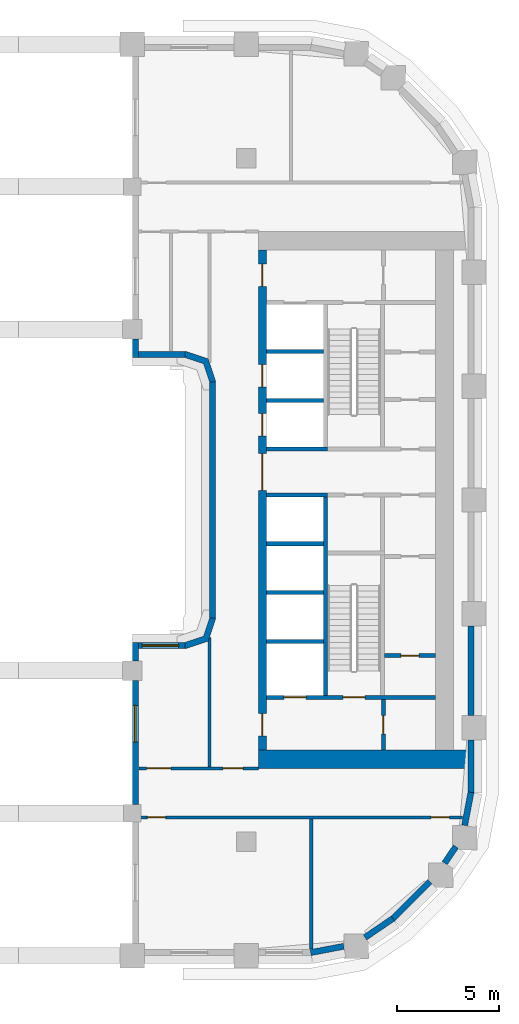
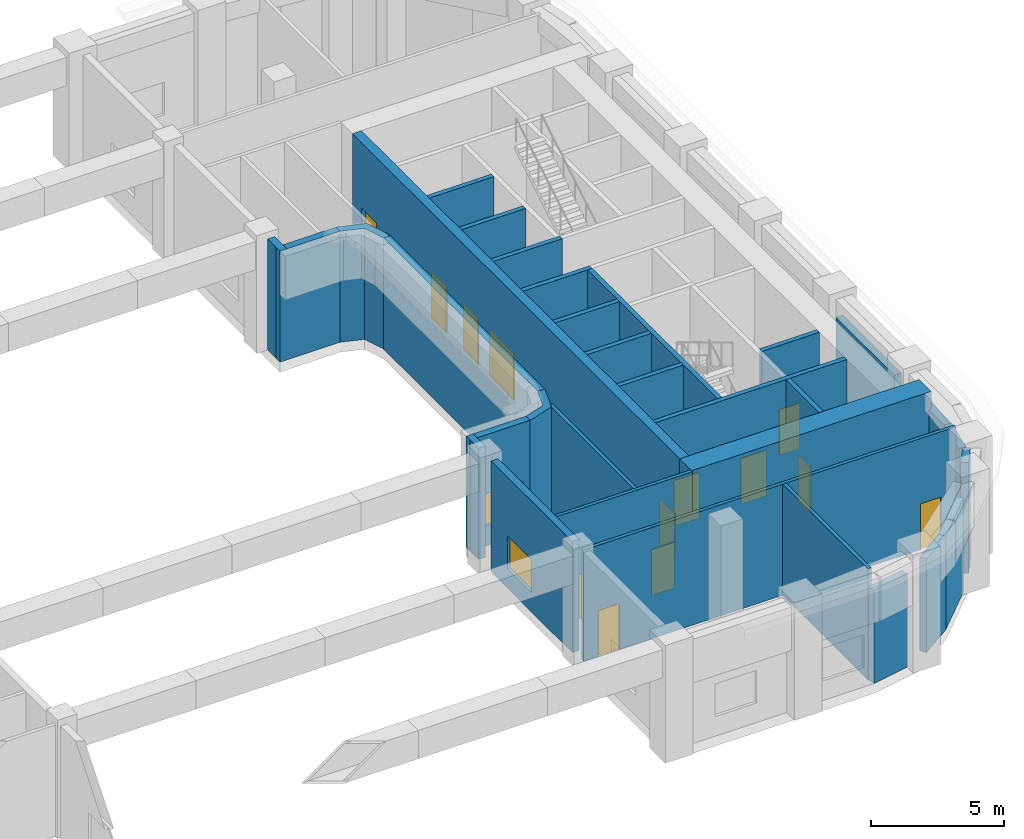
# One storey, part 4 of 14: 32 walls, 13 doors, 2 windows, 15 openings.
"""IFC4 building model written with IfcOpenShell, lengths in metres."""

import ifcopenshell
import ifcopenshell.guid

model = None  # the IFC model being written
_history = None  # IfcOwnerHistory: only IFC2X3 demands one
_inside = {}  # id of a spatial element -> (the spatial element, [elements in it])
_under = {}  # id of a project, library or spatial element -> (it, [spatial elements below it])
_declared = {}  # id of a project -> (the project, [libraries it declares])
_typed = {}  # id of a type object -> (the type object, [elements of that type])
_made_of = {}  # id of a material, layer set ... -> (it, [elements and type objects made of it])


def new_model(schema):
    """Start an empty IFC model of exactly this schema.

    Asked for "IFC4X3", IfcOpenShell would pick the latest addendum, in which some entities
    have other attributes; the version numbers below select the first issue.
    IFC2X3 requires an IfcOwnerHistory on every rooted entity: one is made here for all.
    """
    global model, _history
    if schema == "IFC4X3":
        model = ifcopenshell.file(schema_version=(4, 3, 0, 0))
    else:
        model = ifcopenshell.file(schema=schema)
    _inside.clear()
    _under.clear()
    _declared.clear()
    _typed.clear()
    _made_of.clear()
    _history = None
    if model.schema == "IFC2X3":
        org = make("IfcOrganization", Name="unknown")
        user = make(
            "IfcPersonAndOrganization",
            ThePerson=make("IfcPerson", FamilyName="unknown"),
            TheOrganization=org,
        )
        app = make(
            "IfcApplication",
            ApplicationDeveloper=org,
            Version="unknown",
            ApplicationFullName="unknown",
            ApplicationIdentifier="unknown",
        )
        _history = make(
            "IfcOwnerHistory",
            OwningUser=user,
            OwningApplication=app,
            ChangeAction="ADDED",
            CreationDate=0,
        )
    return model


def make(cls, **values):
    """One entity of the class cls with the attributes given. An attribute that is None is left unset."""
    return model.create_entity(
        cls, **{name: value for name, value in values.items() if value is not None}
    )


def rooted(cls, **values):
    """An entity with a GlobalId (a new one), such as an element, a storey or a relation."""
    return make(cls, GlobalId=ifcopenshell.guid.new(), OwnerHistory=_history, **values)


def si_unit(unit_type, name, prefix=None):
    """IfcSIUnit, for example si_unit("LENGTHUNIT", "METRE", prefix="MILLI")."""
    return make("IfcSIUnit", UnitType=unit_type, Prefix=prefix, Name=name)


def assignment(units):
    """IfcUnitAssignment: the units of a project."""
    return None if units is None else make("IfcUnitAssignment", Units=units)


def point(xyz):
    """IfcCartesianPoint."""
    return None if xyz is None else make("IfcCartesianPoint", Coordinates=xyz)


def direction(xyz):
    """IfcDirection."""
    return None if xyz is None else make("IfcDirection", DirectionRatios=xyz)


def frame(location, z_axis=None, x_axis=None):
    """IfcAxis2Placement3D, a coordinate frame: its origin and axes. An axis left out is left unset."""
    return make(
        "IfcAxis2Placement3D",
        Location=point(location),
        Axis=direction(z_axis),
        RefDirection=direction(x_axis),
    )


def frame_2d(location, x_axis=None):
    """IfcAxis2Placement2D, a coordinate frame in the plane: its origin and x axis."""
    return make(
        "IfcAxis2Placement2D", Location=point(location), RefDirection=direction(x_axis)
    )


def origin():
    """The frame at (0, 0, 0) with its axes left unset."""
    return frame((0.0, 0.0, 0.0))


def place(relative_to, where):
    """IfcLocalPlacement: puts the frame where relative to a parent placement (None: the world)."""
    return make(
        "IfcLocalPlacement", PlacementRelTo=relative_to, RelativePlacement=where
    )


def context(
    kind, dimensions, precision=None, world=None, true_north=None, identifier=None
):
    """IfcGeometricRepresentationContext, for example the 3D "Model" context."""
    return make(
        "IfcGeometricRepresentationContext",
        ContextIdentifier=identifier,
        ContextType=kind,
        CoordinateSpaceDimension=dimensions,
        Precision=precision,
        WorldCoordinateSystem=world,
        TrueNorth=true_north,
    )


def subcontext(parent, identifier, kind, view, scale=None):
    """IfcGeometricRepresentationSubContext, for example "Body" below "Model"."""
    return make(
        "IfcGeometricRepresentationSubContext",
        ContextIdentifier=identifier,
        ContextType=kind,
        ParentContext=parent,
        TargetScale=scale,
        TargetView=view,
    )


def project(units=None, contexts=None):
    """IfcProject with its units and contexts."""
    return rooted(
        "IfcProject",
        Name="project",
        RepresentationContexts=contexts,
        UnitsInContext=assignment(units),
    )


def spatial(cls, under=None, at=None, **own):
    """A site, building, storey or space (cls), placed at a placement, below another one or the project."""
    s = rooted(cls, ObjectPlacement=at, **own)
    if under is not None:
        _under.setdefault(under.id(), (under, []))[1].append(s)
    return s


def polyline(points):
    """IfcPolyline through the points."""
    return make("IfcPolyline", Points=[point(p) for p in points])


def profile(cls, at=None, kind="AREA", **sizes):
    """A parametric profile (cls). Its sizes go by their IFC names, for example OverallWidth=200.0."""
    return make(cls, ProfileType=kind, Position=at, **sizes)


def rectangle(**sizes):
    """IfcRectangleProfileDef."""
    return profile("IfcRectangleProfileDef", **sizes)


def outline(outer, holes=None, kind="AREA"):
    """IfcArbitraryClosedProfileDef: a profile drawn as a closed curve; with holes, ...WithVoids."""
    if holes is None:
        return make("IfcArbitraryClosedProfileDef", ProfileType=kind, OuterCurve=outer)
    return make(
        "IfcArbitraryProfileDefWithVoids",
        ProfileType=kind,
        OuterCurve=outer,
        InnerCurves=holes,
    )


def extrude(swept, where, along, depth):
    """IfcExtrudedAreaSolid: the profile swept, set in the frame where, extruded along a direction by depth."""
    return make(
        "IfcExtrudedAreaSolid",
        SweptArea=swept,
        Position=where,
        ExtrudedDirection=direction(along),
        Depth=depth,
    )


def shape(context_of_items, identifier, shape_type, items):
    """IfcShapeRepresentation: the items that make up one representation, for example the "Body"."""
    return make(
        "IfcShapeRepresentation",
        ContextOfItems=context_of_items,
        RepresentationIdentifier=identifier,
        RepresentationType=shape_type,
        Items=items,
    )


def material(Name=None, Category=None):
    """IfcMaterial."""
    return make("IfcMaterial", Name=Name, Category=Category)


def layer(
    of_material, thickness, ventilated=None, Name=None, Category=None, Priority=None
):
    """IfcMaterialLayer: one layer of a wall or slab, of a material (None: an air gap)."""
    return make(
        "IfcMaterialLayer",
        Material=of_material,
        LayerThickness=thickness,
        IsVentilated=ventilated,
        Name=Name,
        Category=Category,
        Priority=Priority,
    )


def layer_set(layers, Name=None):
    """IfcMaterialLayerSet."""
    return make("IfcMaterialLayerSet", MaterialLayers=layers, LayerSetName=Name)


def made_of(thing, what):
    """Note that an element or type object is made of a material, layer set ...; save() writes the relation."""
    if what is not None:
        _made_of.setdefault(what.id(), (what, []))[1].append(thing)
    return thing


def type_object(cls, material=None, **own):
    """A type object (cls), such as IfcWallType, which elements share."""
    return made_of(rooted(cls, **own), material)


def element(
    cls,
    number,
    at=None,
    inside=None,
    cuts=None,
    type_object=None,
    material=None,
    context=None,
    identifier="Body",
    shape_type=None,
    held_by="IfcProductDefinitionShape",
    body=None,
    shapes=None,
    **own,
):
    """One element of the class cls, such as IfcWall. Its Tag is "e" and its number.

    at: its placement. inside: the storey or other place that contains it. cuts: it is an
    opening in that element (IfcRelVoidsElement). A single representation is given by context,
    identifier, shape_type and body (its items); several are given by shapes. held_by: the class
    of the entity that holds the representations. save() writes the other relations.
    """
    e = rooted(cls, Tag="e%d" % number, ObjectPlacement=at, **own)
    if body is not None:
        shapes = [shape(context, identifier, shape_type, body)]
    if shapes is not None:
        e.Representation = make(held_by, Representations=shapes)
    if inside is not None:
        _inside.setdefault(inside.id(), (inside, []))[1].append(e)
    if cuts is not None:
        rooted(
            "IfcRelVoidsElement", RelatingBuildingElement=cuts, RelatedOpeningElement=e
        )
    if type_object is not None:
        _typed.setdefault(type_object.id(), (type_object, []))[1].append(e)
    return made_of(e, material)


def fill(opening, filler):
    """IfcRelFillsElement: the door or window that sits in an opening."""
    return rooted(
        "IfcRelFillsElement",
        RelatingOpeningElement=opening,
        RelatedBuildingElement=filler,
    )


def aggregate(whole, parts):
    """IfcRelAggregates: a whole, such as a stair, and the parts it consists of."""
    return rooted("IfcRelAggregates", RelatingObject=whole, RelatedObjects=parts)


def save(model, path):
    """Write the relations noted so far, then the file.

    IfcRelAggregates (storeys below a building ...), IfcRelContainedInSpatialStructure (elements
    in a storey), IfcRelDefinesByType, IfcRelAssociatesMaterial and IfcRelDeclares: one each for
    every whole, place, type object, material and project.
    """
    for whole, parts in _under.values():
        aggregate(whole, parts)
    for where, things in _inside.values():
        rooted(
            "IfcRelContainedInSpatialStructure",
            RelatedElements=things,
            RelatingStructure=where,
        )
    for kind, things in _typed.values():
        rooted("IfcRelDefinesByType", RelatedObjects=things, RelatingType=kind)
    for what, things in _made_of.values():
        rooted("IfcRelAssociatesMaterial", RelatedObjects=things, RelatingMaterial=what)
    for by, libraries in _declared.values():
        rooted("IfcRelDeclares", RelatingContext=by, RelatedDefinitions=libraries)
    model.write(path)


model = new_model("IFC4")

# Units and contexts
model_context = context("Model", 3, precision=1e-05, world=origin(), true_north=direction((0.0, 1.0)))
body_context = subcontext(model_context, "Body", "Model", "MODEL_VIEW")
ifc_project = project(units=[si_unit("LENGTHUNIT", "METRE"), si_unit("AREAUNIT", "SQUARE_METRE"), si_unit("VOLUMEUNIT", "CUBIC_METRE"), si_unit("PLANEANGLEUNIT", "RADIAN"), si_unit("MASSUNIT", "GRAM", prefix="KILO")], contexts=[model_context])

# Site, building, storey
site_placement = place(None, origin())
site = spatial("IfcSite", under=ifc_project, at=site_placement, CompositionType="ELEMENT")
building_placement = place(site_placement, origin())
building = spatial("IfcBuilding", under=site, at=building_placement, Name="Kiln Ring Residences", CompositionType="ELEMENT")
storey_placement = place(building_placement, frame((0.0, 0.0, 130.699951171875)))
storey = spatial("IfcBuildingStorey", under=building, at=storey_placement, Name="L33", CompositionType="ELEMENT", Elevation=130.699951171875)

# Wall, opening, door
ifc_material_1 = material(Name="Gypsum board on steel studs", Category="steel")
ifc_layer_1 = layer(ifc_material_1, 0.199951171875)
ifc_layer_set_1 = layer_set([ifc_layer_1], Name="CORE-PARTITION-200")
wall_type_1 = type_object("IfcWallType", Name="CORE-PARTITION-200", PredefinedType="PARTITIONING", material=ifc_layer_set_1)
wall_1_placement = place(storey_placement, frame((23.550048828125, -12.300048828125, 0.0), z_axis=(0.0, 0.0, 1.0), x_axis=(0.0, 1.0, 0.0)))
wall_1 = element("IfcWall", 1, at=wall_1_placement, inside=storey, type_object=wall_type_1, Name="Core partition east L33 4", PredefinedType="PARTITIONING", context=body_context, shape_type="SweptSolid", body=[
    extrude(rectangle(XDim=2.5, YDim=0.199951171875, at=frame_2d((1.25, 0.0))), origin(), (0.0, 0.0, 1.0), 5.10009765625),
])
opening_1_placement = place(wall_1_placement, frame((0.800048828125, 0.0, 0.0)))
opening_1 = element("IfcOpeningElement", 2, at=opening_1_placement, cuts=wall_1, Name="Opening L33-CE08", PredefinedType="OPENING", context=body_context, shape_type="SweptSolid", body=[
    extrude(rectangle(XDim=0.89990234375, YDim=2.10009765625, at=frame_2d((0.449951171875, 1.050048828125))), frame((0.0, 0.10986328125, 0.0), z_axis=(0.0, -1.0, 0.0), x_axis=(1.0, 0.0, 0.0)), (0.0, 0.0, 1.0), 0.219970703125),
])
ifc_material_2 = material(Name="Steel door leaf", Category="steel")
door_type_1 = type_object("IfcDoorType", Name="CORE-DOOR-ROOM", OperationType="SINGLE_SWING_LEFT", PredefinedType="DOOR", material=ifc_material_2)
door_1_placement = place(opening_1_placement, origin())
door_1 = element("IfcDoor", 3, at=door_1_placement, inside=storey, type_object=door_type_1, Name="Store L33-CE08", OperationType="SINGLE_SWING_LEFT", OverallHeight=2.10009765625, OverallWidth=0.89990234375, PredefinedType="DOOR", context=body_context, shape_type="SweptSolid", body=[
    extrude(rectangle(XDim=0.89990234375, YDim=2.10009765625, at=frame_2d((0.449951171875, 1.050048828125))), frame((0.0, 0.02490234375, 0.0), z_axis=(0.0, -1.0, 0.0), x_axis=(1.0, 0.0, 0.0)), (0.0, 0.0, 1.0), 0.050048828125),
])
fill(opening_1, door_1)

wall_2_placement = place(storey_placement, frame((23.60009765625, -7.64990234375, 0.0), z_axis=(0.0, 0.0, 1.0), x_axis=(1.0, 0.0, 0.0)))
wall_2 = element("IfcWall", 4, at=wall_2_placement, inside=storey, type_object=wall_type_1, Name="Core partition east L33 5", PredefinedType="PARTITIONING", context=body_context, shape_type="SweptSolid", body=[
    extrude(rectangle(XDim=2.5, YDim=0.199951171875, at=frame_2d((1.25, 0.0))), origin(), (0.0, 0.0, 1.0), 5.10009765625),
])
opening_2_placement = place(wall_2_placement, frame((0.800048828125, 0.0, 0.0)))
opening_2 = element("IfcOpeningElement", 5, at=opening_2_placement, cuts=wall_2, Name="Opening L33-CE13", PredefinedType="OPENING", context=body_context, shape_type="SweptSolid", body=[
    extrude(rectangle(XDim=0.89990234375, YDim=2.10009765625, at=frame_2d((0.449951171875, 1.050048828125))), frame((0.0, 0.10986328125, 0.0), z_axis=(0.0, -1.0, 0.0), x_axis=(1.0, 0.0, 0.0)), (0.0, 0.0, 1.0), 0.219970703125),
])
door_2_placement = place(opening_2_placement, origin())
door_2 = element("IfcDoor", 6, at=door_2_placement, inside=storey, type_object=door_type_1, Name="Plant room L33-CE13", OperationType="SINGLE_SWING_LEFT", OverallHeight=2.10009765625, OverallWidth=0.89990234375, PredefinedType="DOOR", context=body_context, shape_type="SweptSolid", body=[
    extrude(rectangle(XDim=0.89990234375, YDim=2.10009765625, at=frame_2d((0.449951171875, 1.050048828125))), frame((0.0, 0.02490234375, 0.0), z_axis=(0.0, -1.0, 0.0), x_axis=(1.0, 0.0, 0.0)), (0.0, 0.0, 1.0), 0.050048828125),
])
fill(opening_2, door_2)

# Walls
ifc_material_3 = material(Name="Gypsum shaft wall system")
ifc_layer_2 = layer(ifc_material_3, 0.199951171875)
ifc_layer_set_2 = layer_set([ifc_layer_2], Name="CORE-SHAFT-WALL-200")
wall_type_2 = type_object("IfcWallType", Name="CORE-SHAFT-WALL-200", PredefinedType="PARTITIONING", material=ifc_layer_set_2)
for number, where, z_axis, x_axis, name in (
    (7, (17.800048828125, -6.949951171875, 0.0), (0.0, 0.0, 1.0), (1.0, 0.0, 0.0), "Core partition east L33 9"),
    (8, (17.800048828125, -4.550048828125, 0.0), (0.0, 0.0, 1.0), (1.0, 0.0, 0.0), "Core partition east L33 10"),
    (9, (17.800048828125, -2.14990234375, 0.0), (0.0, 0.0, 1.0), (1.0, 0.0, 0.0), "Core partition east L33 11"),
):
    element("IfcWall", number, at=place(storey_placement, frame(where, z_axis=z_axis, x_axis=x_axis)), inside=storey, type_object=wall_type_2, Name=name, PredefinedType="PARTITIONING", context=body_context, shape_type="SweptSolid", body=[
        extrude(rectangle(XDim=2.800048828125, YDim=0.199951171875, at=frame_2d((1.39990234375, 0.0))), origin(), (0.0, 0.0, 1.0), 5.10009765625),
    ])
for number, where, z_axis, x_axis, name in (
    (10, (17.800048828125, 0.25, 0.0), (0.0, 0.0, 1.0), (1.0, 0.0, 0.0), "Core partition east L33 12"),
    (11, (17.800048828125, 2.5, 0.0), (0.0, 0.0, 1.0), (1.0, 0.0, 0.0), "Core partition east L33 13"),
):
    element("IfcWall", number, at=place(storey_placement, frame(where, z_axis=z_axis, x_axis=x_axis)), inside=storey, type_object=wall_type_2, Name=name, PredefinedType="PARTITIONING", context=body_context, shape_type="SweptSolid", body=[
        extrude(rectangle(XDim=3.0, YDim=0.199951171875, at=frame_2d((1.5, 0.0))), origin(), (0.0, 0.0, 1.0), 5.10009765625),
    ])
for number, where, z_axis, x_axis, name in (
    (12, (17.800048828125, 4.89990234375, 0.0), (0.0, 0.0, 1.0), (1.0, 0.0, 0.0), "Core partition east L33 14"),
    (13, (17.800048828125, 7.300048828125, 0.0), (0.0, 0.0, 1.0), (1.0, 0.0, 0.0), "Core partition east L33 15"),
):
    element("IfcWall", number, at=place(storey_placement, frame(where, z_axis=z_axis, x_axis=x_axis)), inside=storey, type_object=wall_type_2, Name=name, PredefinedType="PARTITIONING", context=body_context, shape_type="SweptSolid", body=[
        extrude(rectangle(XDim=2.800048828125, YDim=0.199951171875, at=frame_2d((1.39990234375, 0.0))), origin(), (0.0, 0.0, 1.0), 5.10009765625),
    ])
ifc_material_4 = material(Name="Concrete C40/50", Category="concrete")
ifc_layer_3 = layer(ifc_material_4, 0.199951171875)
ifc_layer_set_3 = layer_set([ifc_layer_3], Name="CORE-WALL-RC200")
wall_type_3 = type_object("IfcWallType", Name="CORE-WALL-RC200", PredefinedType="SHEAR", material=ifc_layer_set_3)
wall_3_placement = place(storey_placement, frame((20.699951171875, -9.60009765625, 0.0), z_axis=(0.0, 0.0, 1.0), x_axis=(0.0, 1.0, 0.0)))
element("IfcWall", 14, at=wall_3_placement, inside=storey, type_object=wall_type_3, Name="Core wall east L33 2", PredefinedType="SHEAR", context=body_context, shape_type="SweptSolid", body=[
    extrude(rectangle(XDim=9.75, YDim=0.199951171875, at=frame_2d((4.875, 0.0))), origin(), (0.0, 0.0, 1.0), 5.10009765625),
])

# Wall, openings, doors
wall_4_placement = place(storey_placement, frame((17.800048828125, -9.699951171875, 0.0), z_axis=(0.0, 0.0, 1.0), x_axis=(1.0, 0.0, 0.0)))
wall_4 = element("IfcWall", 15, at=wall_4_placement, inside=storey, type_object=wall_type_3, Name="Core wall east L33 8", PredefinedType="SHEAR", context=body_context, shape_type="SweptSolid", body=[
    extrude(rectangle(XDim=8.300048828125, YDim=0.199951171875, at=frame_2d((4.14990234375, 0.0))), origin(), (0.0, 0.0, 1.0), 5.10009765625),
])
opening_3_placement = place(wall_4_placement, frame((0.85009765625, 0.0, 0.0)))
opening_3 = element("IfcOpeningElement", 16, at=opening_3_placement, cuts=wall_4, Name="Opening L33-CE01", PredefinedType="OPENING", context=body_context, shape_type="SweptSolid", body=[
    extrude(rectangle(XDim=1.10009765625, YDim=2.10009765625, at=frame_2d((0.550048828125, 1.050048828125))), frame((0.0, 0.10986328125, 0.0), z_axis=(0.0, -1.0, 0.0), x_axis=(1.0, 0.0, 0.0)), (0.0, 0.0, 1.0), 0.219970703125),
])
opening_4_placement = place(wall_4_placement, frame((3.75, 0.0, 0.0)))
opening_4 = element("IfcOpeningElement", 17, at=opening_4_placement, cuts=wall_4, Name="Opening L33-CE10", PredefinedType="OPENING", context=body_context, shape_type="SweptSolid", body=[
    extrude(rectangle(XDim=1.10009765625, YDim=2.10009765625, at=frame_2d((0.550048828125, 1.050048828125))), frame((0.0, 0.10986328125, 0.0), z_axis=(0.0, -1.0, 0.0), x_axis=(1.0, 0.0, 0.0)), (0.0, 0.0, 1.0), 0.219970703125),
])
ifc_material_5 = material(Name="Steel door leaf", Category="steel")
door_type_2 = type_object("IfcDoorType", Name="CORE-DOOR-LD", OperationType="DOUBLE_DOOR_SLIDING", PredefinedType="DOOR", material=ifc_material_5)
door_3_placement = place(opening_3_placement, origin())
door_3 = element("IfcDoor", 18, at=door_3_placement, inside=storey, type_object=door_type_2, Name="LD E-SV L33-CE01", OperationType="DOUBLE_DOOR_SLIDING", OverallHeight=2.10009765625, OverallWidth=1.10009765625, PredefinedType="DOOR", context=body_context, shape_type="SweptSolid", body=[
    extrude(rectangle(XDim=1.10009765625, YDim=2.10009765625, at=frame_2d((0.550048828125, 1.050048828125))), frame((0.0, 0.02490234375, 0.0), z_axis=(0.0, -1.0, 0.0), x_axis=(1.0, 0.0, 0.0)), (0.0, 0.0, 1.0), 0.050048828125),
])
fill(opening_3, door_3)
ifc_material_6 = material(Name="Steel door leaf", Category="steel")
door_type_3 = type_object("IfcDoorType", Name="CORE-DOOR-STAIR", OperationType="SINGLE_SWING_LEFT", PredefinedType="DOOR", material=ifc_material_6)
door_4_placement = place(opening_4_placement, origin())
door_4 = element("IfcDoor", 19, at=door_4_placement, inside=storey, type_object=door_type_3, Name="Stair E-STS L33-CE10", OperationType="SINGLE_SWING_RIGHT", OverallHeight=2.10009765625, OverallWidth=1.10009765625, PredefinedType="DOOR", context=body_context, shape_type="SweptSolid", body=[
    extrude(rectangle(XDim=1.10009765625, YDim=2.10009765625, at=frame_2d((0.550048828125, 1.050048828125))), frame((0.0, 0.02490234375, 0.0), z_axis=(0.0, -1.0, 0.0), x_axis=(1.0, 0.0, 0.0)), (0.0, 0.0, 1.0), 0.050048828125),
])
fill(opening_4, door_4)

ifc_material_7 = material(Name="Concrete C60/75", Category="concrete")
ifc_layer_4 = layer(ifc_material_7, 0.39990234375)
ifc_layer_set_4 = layer_set([ifc_layer_4], Name="CORE-WALL-RC400")
wall_type_4 = type_object("IfcWallType", Name="CORE-WALL-RC400", PredefinedType="SHEAR", material=ifc_layer_set_4)
wall_5_placement = place(storey_placement, frame((17.60009765625, -12.300048828125, 0.0), z_axis=(0.0, 0.0, 1.0), x_axis=(0.0, 1.0, 0.0)))
wall_5 = element("IfcWall", 20, at=wall_5_placement, inside=storey, type_object=wall_type_4, Name="Core wall east L33 6", PredefinedType="SHEAR", context=body_context, shape_type="SweptSolid", body=[
    extrude(rectangle(XDim=24.60009765625, YDim=0.39990234375, at=frame_2d((12.300048828125, 0.0))), origin(), (0.0, 0.0, 1.0), 5.10009765625),
])
opening_5_placement = place(wall_5_placement, frame((15.449951171875, 0.0, 0.0)))
opening_5 = element("IfcOpeningElement", 21, at=opening_5_placement, cuts=wall_5, Name="Opening L33-CE02", PredefinedType="OPENING", context=body_context, shape_type="SweptSolid", body=[
    extrude(rectangle(XDim=1.10009765625, YDim=2.10009765625, at=frame_2d((0.550048828125, 1.050048828125))), frame((0.0, 0.2099609375, 0.0), z_axis=(0.0, -1.0, 0.0), x_axis=(1.0, 0.0, 0.0)), (0.0, 0.0, 1.0), 0.419921875),
])
opening_6_placement = place(wall_5_placement, frame((17.85009765625, 0.0, 0.0)))
opening_6 = element("IfcOpeningElement", 22, at=opening_6_placement, cuts=wall_5, Name="Opening L33-CE03", PredefinedType="OPENING", context=body_context, shape_type="SweptSolid", body=[
    extrude(rectangle(XDim=1.10009765625, YDim=2.10009765625, at=frame_2d((0.550048828125, 1.050048828125))), frame((0.0, 0.2099609375, 0.0), z_axis=(0.0, -1.0, 0.0), x_axis=(1.0, 0.0, 0.0)), (0.0, 0.0, 1.0), 0.419921875),
])
opening_7_placement = place(wall_5_placement, frame((22.800048828125, 0.0, 0.0)))
opening_7 = element("IfcOpeningElement", 23, at=opening_7_placement, cuts=wall_5, Name="Opening L33-CE05", PredefinedType="OPENING", context=body_context, shape_type="SweptSolid", body=[
    extrude(rectangle(XDim=1.10009765625, YDim=2.10009765625, at=frame_2d((0.550048828125, 1.050048828125))), frame((0.0, 0.2099609375, 0.0), z_axis=(0.0, -1.0, 0.0), x_axis=(1.0, 0.0, 0.0)), (0.0, 0.0, 1.0), 0.419921875),
])
opening_8_placement = place(wall_5_placement, frame((0.699951171875, 0.0, 0.0)))
opening_8 = element("IfcOpeningElement", 24, at=opening_8_placement, cuts=wall_5, Name="Opening L33-CE06", PredefinedType="OPENING", context=body_context, shape_type="SweptSolid", body=[
    extrude(rectangle(XDim=1.10009765625, YDim=2.10009765625, at=frame_2d((0.550048828125, 1.050048828125))), frame((0.0, 0.2099609375, 0.0), z_axis=(0.0, -1.0, 0.0), x_axis=(1.0, 0.0, 0.0)), (0.0, 0.0, 1.0), 0.419921875),
])
opening_9_placement = place(wall_5_placement, frame((12.77490234375, 0.0, 0.0)))
opening_9 = element("IfcOpeningElement", 25, at=opening_9_placement, cuts=wall_5, Name="Opening L33-CE11", PredefinedType="OPENING", context=body_context, shape_type="SweptSolid", body=[
    extrude(rectangle(XDim=1.800048828125, YDim=2.10009765625, at=frame_2d((0.89990234375, 1.050048828125))), frame((0.0, 0.2099609375, 0.0), z_axis=(0.0, -1.0, 0.0), x_axis=(1.0, 0.0, 0.0)), (0.0, 0.0, 1.0), 0.419921875),
])
door_5_placement = place(opening_5_placement, origin())
door_5 = element("IfcDoor", 26, at=door_5_placement, inside=storey, type_object=door_type_2, Name="LD E-M1 L33-CE02", OperationType="DOUBLE_DOOR_SLIDING", OverallHeight=2.10009765625, OverallWidth=1.10009765625, PredefinedType="DOOR", context=body_context, shape_type="SweptSolid", body=[
    extrude(rectangle(XDim=1.10009765625, YDim=2.10009765625, at=frame_2d((0.550048828125, 1.050048828125))), frame((0.0, 0.02490234375, 0.0), z_axis=(0.0, -1.0, 0.0), x_axis=(1.0, 0.0, 0.0)), (0.0, 0.0, 1.0), 0.050048828125),
])
fill(opening_5, door_5)
door_6_placement = place(opening_6_placement, origin())
door_6 = element("IfcDoor", 27, at=door_6_placement, inside=storey, type_object=door_type_2, Name="LD E-M2 L33-CE03", OperationType="DOUBLE_DOOR_SLIDING", OverallHeight=2.10009765625, OverallWidth=1.10009765625, PredefinedType="DOOR", context=body_context, shape_type="SweptSolid", body=[
    extrude(rectangle(XDim=1.10009765625, YDim=2.10009765625, at=frame_2d((0.550048828125, 1.050048828125))), frame((0.0, 0.02490234375, 0.0), z_axis=(0.0, -1.0, 0.0), x_axis=(1.0, 0.0, 0.0)), (0.0, 0.0, 1.0), 0.050048828125),
])
fill(opening_6, door_6)
ifc_material_8 = material(Name="Steel door leaf", Category="steel")
door_type_4 = type_object("IfcDoorType", Name="CORE-DOOR-LOBBY", OperationType="SINGLE_SWING_LEFT", PredefinedType="DOOR", material=ifc_material_8)
door_7_placement = place(opening_7_placement, origin())
door_7 = element("IfcDoor", 28, at=door_7_placement, inside=storey, type_object=door_type_4, Name="FFL L33-CE05", OperationType="SINGLE_SWING_LEFT", OverallHeight=2.10009765625, OverallWidth=1.10009765625, PredefinedType="DOOR", context=body_context, shape_type="SweptSolid", body=[
    extrude(rectangle(XDim=1.10009765625, YDim=2.10009765625, at=frame_2d((0.550048828125, 1.050048828125))), frame((0.0, 0.02490234375, 0.0), z_axis=(0.0, -1.0, 0.0), x_axis=(1.0, 0.0, 0.0)), (0.0, 0.0, 1.0), 0.050048828125),
])
fill(opening_7, door_7)
door_8_placement = place(opening_8_placement, origin())
door_8 = element("IfcDoor", 29, at=door_8_placement, inside=storey, type_object=door_type_4, Name="SVL L33-CE06", OperationType="SINGLE_SWING_RIGHT", OverallHeight=2.10009765625, OverallWidth=1.10009765625, PredefinedType="DOOR", context=body_context, shape_type="SweptSolid", body=[
    extrude(rectangle(XDim=1.10009765625, YDim=2.10009765625, at=frame_2d((0.550048828125, 1.050048828125))), frame((0.0, 0.02490234375, 0.0), z_axis=(0.0, -1.0, 0.0), x_axis=(1.0, 0.0, 0.0)), (0.0, 0.0, 1.0), 0.050048828125),
])
fill(opening_8, door_8)
ifc_material_9 = material(Name="Steel door leaf", Category="steel")
door_type_5 = type_object("IfcDoorType", Name="CORE-DOOR-PASS", OperationType="DOUBLE_DOOR_SINGLE_SWING", PredefinedType="DOOR", material=ifc_material_9)
door_9_placement = place(opening_9_placement, origin())
door_9 = element("IfcDoor", 30, at=door_9_placement, inside=storey, type_object=door_type_5, Name="Core passage L33-CE11", OperationType="DOUBLE_DOOR_SINGLE_SWING", OverallHeight=2.10009765625, OverallWidth=1.800048828125, PredefinedType="DOOR", context=body_context, shape_type="SweptSolid", body=[
    extrude(rectangle(XDim=1.800048828125, YDim=2.10009765625, at=frame_2d((0.89990234375, 1.050048828125))), frame((0.0, 0.02490234375, 0.0), z_axis=(0.0, -1.0, 0.0), x_axis=(1.0, 0.0, 0.0)), (0.0, 0.0, 1.0), 0.050048828125),
])
fill(opening_9, door_9)

# Wall
ifc_material_10 = material(Name="Concrete C60/75", Category="concrete")
ifc_layer_5 = layer(ifc_material_10, 0.89990234375)
ifc_layer_set_5 = layer_set([ifc_layer_5], Name="CORE-WALL-RC900")
wall_type_5 = type_object("IfcWallType", Name="CORE-WALL-RC900", PredefinedType="SHEAR", material=ifc_layer_set_5)
wall_6_placement = place(storey_placement, frame((17.39990234375, -12.75, 0.0), z_axis=(0.0, 0.0, 1.0), x_axis=(1.0, 0.0, 0.0)))
element("IfcWall", 31, at=wall_6_placement, inside=storey, type_object=wall_type_5, Name="Core wall east L33 5", PredefinedType="SHEAR", context=body_context, shape_type="SweptSolid", body=[
    extrude(rectangle(XDim=10.400146484375, YDim=0.89990234375, at=frame_2d((5.2001953125, 0.0))), origin(), (0.0, 0.0, 1.0), 5.10009765625),
])

# Wall, opening, window
ifc_material_11 = material(Name="Brick masonry, dark clay brick", Category="masonry")
ifc_layer_6 = layer(ifc_material_11, 0.300048828125)
ifc_layer_set_6 = layer_set([ifc_layer_6], Name="EW-300 BRICK WALL")
wall_type_6 = type_object("IfcWallType", Name="EW-300 BRICK WALL", PredefinedType="SOLIDWALL", material=ifc_layer_set_6)
wall_7_placement = place(storey_placement, frame((13.800048828125, -7.14990234375, 0.0), z_axis=(0.0, 0.0, 1.0), x_axis=(-1.0, 0.0, 0.0)))
wall_7 = element("IfcWall", 32, at=wall_7_placement, inside=storey, type_object=wall_type_6, Name="Facade wall L33 30", PredefinedType="SOLIDWALL", context=body_context, shape_type="SweptSolid", body=[
    extrude(rectangle(XDim=2.60009765625, YDim=0.300048828125, at=frame_2d((1.300048828125, 0.0))), origin(), (0.0, 0.0, 1.0), 5.10009765625),
])
opening_10_placement = place(wall_7_placement, frame((0.3173828125, 0.0, 0.89990234375)))
opening_10 = element("IfcOpeningElement", 33, at=opening_10_placement, cuts=wall_7, Name="Opening LV1", PredefinedType="OPENING", context=body_context, shape_type="SweptSolid", body=[
    extrude(rectangle(XDim=1.800048828125, YDim=1.5, at=frame_2d((0.89990234375, 0.75))), frame((0.0, 0.159912109375, 0.0), z_axis=(0.0, -1.0, 0.0), x_axis=(1.0, 0.0, 0.0)), (0.0, 0.0, 1.0), 0.320068359375),
])
ifc_material_12 = material(Name="Aluminium louvre", Category="aluminium")
window_type = type_object("IfcWindowType", Name="LOUVRED VENT 1800 x 1500", PartitioningType="SINGLE_PANEL", PredefinedType="WINDOW", material=ifc_material_12)
window_1_placement = place(opening_10_placement, origin())
window_1 = element("IfcWindow", 34, at=window_1_placement, inside=storey, type_object=window_type, Name="Louvred vent L33 10", OverallHeight=1.5, OverallWidth=1.800048828125, PartitioningType="SINGLE_PANEL", PredefinedType="WINDOW", context=body_context, shape_type="SweptSolid", body=[
    extrude(rectangle(XDim=1.800048828125, YDim=1.5, at=frame_2d((0.89990234375, 0.75))), frame((0.0, 0.030029296875, 0.0), z_axis=(0.0, -1.0, 0.0), x_axis=(1.0, 0.0, 0.0)), (0.0, 0.0, 1.0), 0.06005859375),
])
fill(opening_10, window_1)

# Wall
wall_8_placement = place(storey_placement, frame((11.35009765625, -7.0, 0.0), z_axis=(0.0, 0.0, 1.0), x_axis=(0.0, -1.0, 0.0)))
element("IfcWall", 35, at=wall_8_placement, inside=storey, type_object=wall_type_6, Name="Facade wall L33 31", PredefinedType="SOLIDWALL", context=body_context, shape_type="SweptSolid", body=[
    extrude(rectangle(XDim=0.925048828125, YDim=0.300048828125, at=frame_2d((0.46240234375, 0.0))), origin(), (0.0, 0.0, 1.0), 5.10009765625),
])

# Wall, opening, window
wall_9_placement = place(storey_placement, frame((11.35009765625, -8.875, 0.0), z_axis=(0.0, 0.0, 1.0), x_axis=(0.0, -1.0, 0.0)))
wall_9 = element("IfcWall", 36, at=wall_9_placement, inside=storey, type_object=wall_type_6, Name="Facade wall L33 32", PredefinedType="SOLIDWALL", context=body_context, shape_type="SweptSolid", body=[
    extrude(rectangle(XDim=6.10009765625, YDim=0.300048828125, at=frame_2d((3.050048828125, 0.0))), origin(), (0.0, 0.0, 1.0), 5.10009765625),
])
opening_11_placement = place(wall_9_placement, frame((1.22509765625, 0.0, 0.89990234375)))
opening_11 = element("IfcOpeningElement", 37, at=opening_11_placement, cuts=wall_9, Name="Opening LV1", PredefinedType="OPENING", context=body_context, shape_type="SweptSolid", body=[
    extrude(rectangle(XDim=1.800048828125, YDim=1.5, at=frame_2d((0.89990234375, 0.75))), frame((0.0, 0.159912109375, 0.0), z_axis=(0.0, -1.0, 0.0), x_axis=(1.0, 0.0, 0.0)), (0.0, 0.0, 1.0), 0.320068359375),
])
window_2_placement = place(opening_11_placement, origin())
window_2 = element("IfcWindow", 38, at=window_2_placement, inside=storey, type_object=window_type, Name="Louvred vent L33 11", OverallHeight=1.5, OverallWidth=1.800048828125, PartitioningType="SINGLE_PANEL", PredefinedType="WINDOW", context=body_context, shape_type="SweptSolid", body=[
    extrude(rectangle(XDim=1.800048828125, YDim=1.5, at=frame_2d((0.89990234375, 0.75))), frame((0.0, 0.030029296875, 0.0), z_axis=(0.0, -1.0, 0.0), x_axis=(1.0, 0.0, 0.0)), (0.0, 0.0, 1.0), 0.06005859375),
])
fill(opening_11, window_2)

# Walls
for number, where, z_axis, x_axis, name in (
    (39, (19.971923828125, -22.252685546875, 0.0), (0.0, 0.0, 1.0), (0.98228820662, 0.187376303559, 0.0), "Facade wall L33 36"),
    (40, (22.64306640625, -21.509765625, 0.0), (0.0, 0.0, 1.0), (0.827049873329, 0.562128550268, 0.0), "Facade wall L33 37"),
):
    element("IfcWall", number, at=place(storey_placement, frame(where, z_axis=z_axis, x_axis=x_axis)), inside=storey, type_object=wall_type_6, Name=name, PredefinedType="SOLIDWALL", context=body_context, shape_type="SweptSolid", body=[
        extrude(rectangle(XDim=1.656005859375, YDim=0.300048828125, at=frame_2d((0.828125, 0.0))), origin(), (0.0, 0.0, 1.0), 4.300048828125),
    ])
wall_10_placement = place(storey_placement, frame((23.990966796875, -20.596923828125, 0.0), z_axis=(0.0, 0.0, 1.0), x_axis=(0.707106781187, 0.707106781187, 0.0)))
element("IfcWall", 41, at=wall_10_placement, inside=storey, type_object=wall_type_6, Name="Facade wall L33 38", PredefinedType="SOLIDWALL", context=body_context, shape_type="SweptSolid", body=[
    extrude(rectangle(XDim=2.60009765625, YDim=0.300048828125, at=frame_2d((1.300048828125, 0.0))), origin(), (0.0, 0.0, 1.0), 4.300048828125),
])
wall_11_placement = place(storey_placement, frame((26.560546875, -17.85107421875, 0.0), z_axis=(0.0, 0.0, 1.0), x_axis=(0.562173331661, 0.827019434577, 0.0)))
element("IfcWall", 42, at=wall_11_placement, inside=storey, type_object=wall_type_6, Name="Facade wall L33 39", PredefinedType="SOLIDWALL", context=body_context, shape_type="SweptSolid", body=[
    extrude(rectangle(XDim=0.97705078125, YDim=0.300048828125, at=frame_2d((0.488525390625, 0.0))), origin(), (0.0, 0.0, 1.0), 5.10009765625),
])
wall_12_placement = place(storey_placement, frame((27.542236328125, -15.998779296875, 0.0), z_axis=(0.0, 0.0, 1.0), x_axis=(0.187349172861, 0.982293381546, 0.0)))
element("IfcWall", 43, at=wall_12_placement, inside=storey, type_object=wall_type_6, Name="Facade wall L33 40", PredefinedType="SOLIDWALL", context=body_context, shape_type="SweptSolid", body=[
    extrude(rectangle(XDim=1.65625, YDim=0.300048828125, at=frame_2d((0.828125, 0.0))), origin(), (0.0, 0.0, 1.0), 4.300048828125),
])
wall_13_placement = place(storey_placement, frame((27.85009765625, -14.39990234375, 0.0), z_axis=(0.0, 0.0, 1.0), x_axis=(0.0, 1.0, 0.0)))
element("IfcWall", 44, at=wall_13_placement, inside=storey, type_object=wall_type_6, Name="Facade wall L33 41", PredefinedType="SOLIDWALL", context=body_context, shape_type="SweptSolid", body=[
    extrude(rectangle(XDim=2.599853515625, YDim=0.300048828125, at=frame_2d((1.2998046875, 0.0))), origin(), (0.0, 0.0, 1.0), 4.300048828125),
])
wall_14_placement = place(storey_placement, frame((27.85009765625, -10.60009765625, 0.0), z_axis=(0.0, 0.0, 1.0), x_axis=(0.0, 1.0, 0.0)))
element("IfcWall", 45, at=wall_14_placement, inside=storey, type_object=wall_type_6, Name="Facade wall L33 42", PredefinedType="SOLIDWALL", context=body_context, shape_type="SweptSolid", body=[
    extrude(rectangle(XDim=4.400146484375, YDim=0.300048828125, at=frame_2d((2.2001953125, 0.0))), origin(), (0.0, 0.0, 1.0), 4.300048828125),
])
wall_15_placement = place(storey_placement, frame((11.35009765625, 7.925048828125, 0.0), z_axis=(0.0, 0.0, 1.0), x_axis=(0.0, -1.0, 0.0)))
element("IfcWall", 46, at=wall_15_placement, inside=storey, type_object=wall_type_6, Name="Facade wall L33 56", PredefinedType="SOLIDWALL", context=body_context, shape_type="SweptSolid", body=[
    extrude(rectangle(XDim=0.925048828125, YDim=0.300048828125, at=frame_2d((0.46240234375, 0.0))), origin(), (0.0, 0.0, 1.0), 5.10009765625),
])
wall_16_placement = place(storey_placement, frame((11.199951171875, 7.14990234375, 0.0), z_axis=(0.0, 0.0, 1.0), x_axis=(1.0, 0.0, 0.0)))
element("IfcWall", 47, at=wall_16_placement, inside=storey, type_object=wall_type_6, Name="Facade wall L33 57", PredefinedType="SOLIDWALL", context=body_context, shape_type="SweptSolid", body=[
    extrude(rectangle(XDim=2.60009765625, YDim=0.300048828125, at=frame_2d((1.300048828125, 0.0))), origin(), (0.0, 0.0, 1.0), 5.10009765625),
])
wall_17_placement = place(storey_placement, frame((15.14990234375, 5.800048828125, 0.0), z_axis=(0.0, 0.0, 1.0), x_axis=(0.0, -1.0, 0.0)))
element("IfcWall", 48, at=wall_17_placement, inside=storey, type_object=wall_type_6, Name="Facade wall L33 58", PredefinedType="SOLIDWALL", context=body_context, shape_type="SweptSolid", body=[
    extrude(rectangle(XDim=11.60009765625, YDim=0.300048828125, at=frame_2d((5.800048828125, 0.0))), origin(), (0.0, 0.0, 1.0), 5.10009765625),
])
placement = place(storey_placement, origin())
element("IfcWall", 49, at=placement, inside=storey, type_object=wall_type_6, Name="Corner wall L33 3", PredefinedType="SOLIDWALL", context=body_context, shape_type="SweptSolid", body=[
    extrude(outline(polyline([(13.800048828125, 7.0), (14.699951171875, 6.699951171875), (15.0, 5.800048828125), (15.300048828125, 5.800048828125), (15.300048828125, 5.8486328125), (14.937255859375, 6.937255859375), (13.8486328125, 7.300048828125), (13.800048828125, 7.300048828125), (13.800048828125, 7.0)])), origin(), (0.0, 0.0, 1.0), 5.10009765625),
])
element("IfcWall", 50, at=placement, inside=storey, type_object=wall_type_6, Name="Corner wall L33 4", PredefinedType="SOLIDWALL", context=body_context, shape_type="SweptSolid", body=[
    extrude(outline(polyline([(15.0, -5.800048828125), (14.699951171875, -6.699951171875), (13.800048828125, -7.0), (13.800048828125, -7.300048828125), (13.8486328125, -7.300048828125), (14.937255859375, -6.937255859375), (15.300048828125, -5.8486328125), (15.300048828125, -5.800048828125), (15.0, -5.800048828125)])), origin(), (0.0, 0.0, 1.0), 5.10009765625),
])

# Wall, openings, doors
ifc_material_13 = material(Name="Brick masonry partition", Category="masonry")
ifc_layer_7 = layer(ifc_material_13, 0.14990234375)
ifc_layer_set_7 = layer_set([ifc_layer_7], Name="PARTITION-150-ei60")
wall_type_7 = type_object("IfcWallType", Name="PARTITION-150-ei60", PredefinedType="PARTITIONING", material=ifc_layer_set_7)
wall_20_placement = place(storey_placement, frame((11.2900390625, -15.60009765625, 0.0), z_axis=(0.0, 0.0, 1.0), x_axis=(1.0, 0.0, 0.0)))
wall_20 = element("IfcWall", 51, at=wall_20_placement, inside=storey, type_object=wall_type_7, Name="Partition 001", PredefinedType="PARTITIONING", context=body_context, shape_type="SweptSolid", body=[
    extrude(rectangle(XDim=16.15576171875, YDim=0.14990234375, at=frame_2d((8.077880859375, 0.0))), origin(), (0.0, 0.0, 1.0), 5.10009765625),
])
opening_12_placement = place(wall_20_placement, frame((0.64990234375, 0.0, 0.0)))
opening_12 = element("IfcOpeningElement", 52, at=opening_12_placement, cuts=wall_20, Name="Opening L33-D017", PredefinedType="OPENING", context=body_context, shape_type="SweptSolid", body=[
    extrude(rectangle(XDim=0.89990234375, YDim=2.10009765625, at=frame_2d((0.449951171875, 1.050048828125))), frame((0.0, 0.0849609375, 0.0), z_axis=(0.0, -1.0, 0.0), x_axis=(1.0, 0.0, 0.0)), (0.0, 0.0, 1.0), 0.169921875),
])
opening_13_placement = place(wall_20_placement, frame((14.60498046875, 0.0, 0.0)))
opening_13 = element("IfcOpeningElement", 53, at=opening_13_placement, cuts=wall_20, Name="Opening L33-D018", PredefinedType="OPENING", context=body_context, shape_type="SweptSolid", body=[
    extrude(rectangle(XDim=0.89990234375, YDim=2.10009765625, at=frame_2d((0.449951171875, 1.050048828125))), frame((0.0, 0.0849609375, 0.0), z_axis=(0.0, -1.0, 0.0), x_axis=(1.0, 0.0, 0.0)), (0.0, 0.0, 1.0), 0.169921875),
])
ifc_material_14 = material(Name="Steel faced fire door leaf", Category="steel")
door_type_6 = type_object("IfcDoorType", Name="FLAT-DOOR-900-FR", OperationType="SINGLE_SWING_LEFT", PredefinedType="DOOR", material=ifc_material_14)
door_10_placement = place(opening_12_placement, origin())
door_10 = element("IfcDoor", 54, at=door_10_placement, inside=storey, type_object=door_type_6, Name="Door L33-D017", OperationType="SINGLE_SWING_LEFT", OverallHeight=2.10009765625, OverallWidth=0.89990234375, PredefinedType="DOOR", context=body_context, shape_type="SweptSolid", body=[
    extrude(rectangle(XDim=0.89990234375, YDim=2.10009765625, at=frame_2d((0.449951171875, 1.050048828125))), frame((0.0, 0.02490234375, 0.0), z_axis=(0.0, -1.0, 0.0), x_axis=(1.0, 0.0, 0.0)), (0.0, 0.0, 1.0), 0.050048828125),
])
fill(opening_12, door_10)
door_11_placement = place(opening_13_placement, origin())
door_11 = element("IfcDoor", 55, at=door_11_placement, inside=storey, type_object=door_type_6, Name="Door L33-D018", OperationType="SINGLE_SWING_RIGHT", OverallHeight=2.10009765625, OverallWidth=0.89990234375, PredefinedType="DOOR", context=body_context, shape_type="SweptSolid", body=[
    extrude(rectangle(XDim=0.89990234375, YDim=2.10009765625, at=frame_2d((0.449951171875, 1.050048828125))), frame((0.0, 0.02490234375, 0.0), z_axis=(0.0, -1.0, 0.0), x_axis=(1.0, 0.0, 0.0)), (0.0, 0.0, 1.0), 0.050048828125),
])
fill(opening_13, door_11)

wall_21_placement = place(storey_placement, frame((11.52001953125, -13.199951171875, 0.0), z_axis=(0.0, 0.0, 1.0), x_axis=(1.0, 0.0, 0.0)))
wall_21 = element("IfcWall", 56, at=wall_21_placement, inside=storey, type_object=wall_type_7, Name="Partition 003", PredefinedType="PARTITIONING", context=body_context, shape_type="SweptSolid", body=[
    extrude(rectangle(XDim=5.8798828125, YDim=0.14990234375, at=frame_2d((2.93994140625, 0.0))), origin(), (0.0, 0.0, 1.0), 5.10009765625),
])
opening_14_placement = place(wall_21_placement, frame((4.1298828125, 0.0, 0.0)))
opening_14 = element("IfcOpeningElement", 57, at=opening_14_placement, cuts=wall_21, Name="Opening L33-D015", PredefinedType="OPENING", context=body_context, shape_type="SweptSolid", body=[
    extrude(rectangle(XDim=1.0, YDim=2.10009765625, at=frame_2d((0.5, 1.050048828125))), frame((0.0, 0.0849609375, 0.0), z_axis=(0.0, -1.0, 0.0), x_axis=(1.0, 0.0, 0.0)), (0.0, 0.0, 1.0), 0.169921875),
])
opening_15_placement = place(wall_21_placement, frame((0.3798828125, 0.0, 0.0)))
opening_15 = element("IfcOpeningElement", 58, at=opening_15_placement, cuts=wall_21, Name="Opening L33-D016", PredefinedType="OPENING", context=body_context, shape_type="SweptSolid", body=[
    extrude(rectangle(XDim=1.199951171875, YDim=2.10009765625, at=frame_2d((0.60009765625, 1.050048828125))), frame((0.0, 0.0849609375, 0.0), z_axis=(0.0, -1.0, 0.0), x_axis=(1.0, 0.0, 0.0)), (0.0, 0.0, 1.0), 0.169921875),
])
ifc_material_15 = material(Name="Steel faced fire door leaf", Category="steel")
door_type_7 = type_object("IfcDoorType", Name="FLAT-DOOR-1000-FR", OperationType="SINGLE_SWING_LEFT", PredefinedType="DOOR", material=ifc_material_15)
door_12_placement = place(opening_14_placement, origin())
door_12 = element("IfcDoor", 59, at=door_12_placement, inside=storey, type_object=door_type_7, Name="Door L33-D015", OperationType="SINGLE_SWING_RIGHT", OverallHeight=2.10009765625, OverallWidth=1.0, PredefinedType="DOOR", context=body_context, shape_type="SweptSolid", body=[
    extrude(rectangle(XDim=1.0, YDim=2.10009765625, at=frame_2d((0.5, 1.050048828125))), frame((0.0, 0.02490234375, 0.0), z_axis=(0.0, -1.0, 0.0), x_axis=(1.0, 0.0, 0.0)), (0.0, 0.0, 1.0), 0.050048828125),
])
fill(opening_14, door_12)
ifc_material_16 = material(Name="Steel faced fire door leaf", Category="steel")
door_type_8 = type_object("IfcDoorType", Name="FLAT-DOOR-1200-FR", OperationType="SINGLE_SWING_LEFT", PredefinedType="DOOR", material=ifc_material_16)
door_13_placement = place(opening_15_placement, origin())
door_13 = element("IfcDoor", 60, at=door_13_placement, inside=storey, type_object=door_type_8, Name="Door L33-D016", OperationType="SINGLE_SWING_RIGHT", OverallHeight=2.10009765625, OverallWidth=1.199951171875, PredefinedType="DOOR", context=body_context, shape_type="SweptSolid", body=[
    extrude(rectangle(XDim=1.199951171875, YDim=2.10009765625, at=frame_2d((0.60009765625, 1.050048828125))), frame((0.0, 0.02490234375, 0.0), z_axis=(0.0, -1.0, 0.0), x_axis=(1.0, 0.0, 0.0)), (0.0, 0.0, 1.0), 0.050048828125),
])
fill(opening_15, door_13)

# Walls
wall_22_placement = place(storey_placement, frame((15.0, -13.125, 0.0), z_axis=(0.0, 0.0, 1.0), x_axis=(0.0, 1.0, 0.0)))
element("IfcWall", 61, at=wall_22_placement, inside=storey, type_object=wall_type_7, Name="Partition 014", PredefinedType="PARTITIONING", context=body_context, shape_type="SweptSolid", body=[
    extrude(rectangle(XDim=6.356201171875, YDim=0.14990234375, at=frame_2d((3.17822265625, 0.0))), origin(), (0.0, 0.0, 1.0), 5.10009765625),
])
wall_23_placement = place(storey_placement, frame((20.0, -22.07470703125, 0.0), z_axis=(0.0, 0.0, 1.0), x_axis=(0.0, 1.0, 0.0)))
element("IfcWall", 62, at=wall_23_placement, inside=storey, type_object=wall_type_7, Name="Partition 017", PredefinedType="PARTITIONING", context=body_context, shape_type="SweptSolid", body=[
    extrude(rectangle(XDim=6.399658203125, YDim=0.14990234375, at=frame_2d((3.19970703125, 0.0))), origin(), (0.0, 0.0, 1.0), 5.10009765625),
])

save(model, "model.ifc")
